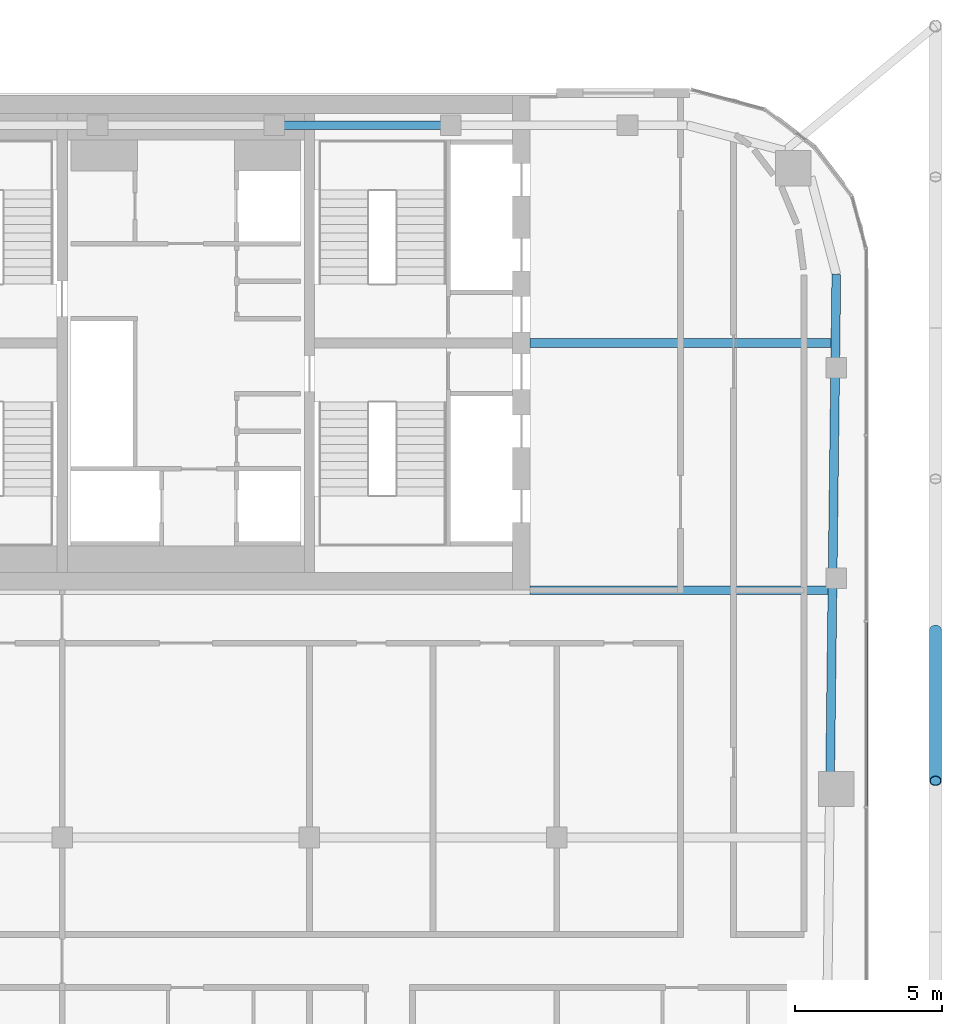
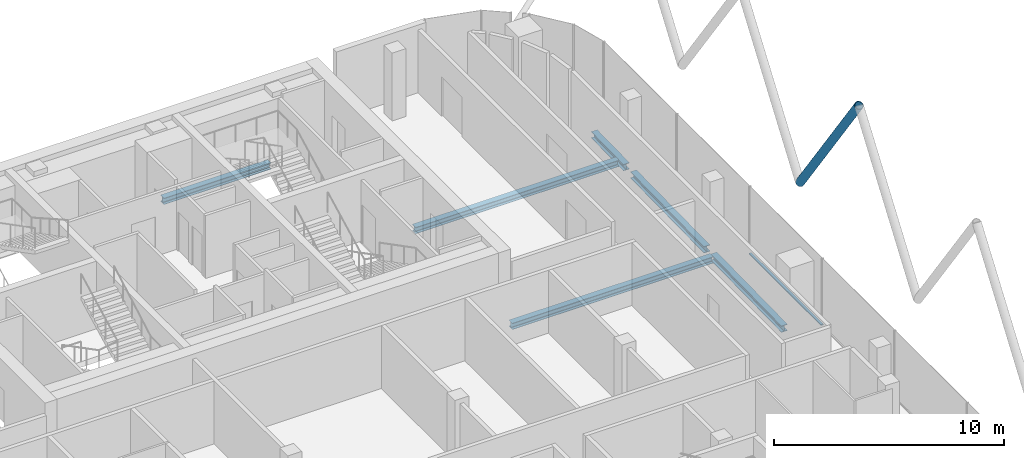
# One storey, part 11 of 27: 6 beams, 2 members, 1 element without a shape of its own.
"""IFC4 building model written with IfcOpenShell, lengths in metres."""

from ifc_helpers import new_model, si_unit, direction, frame, origin, origin_2d, place, context, subcontext, project, spatial, rectangle, hollow_circle, i_section, extrude, material, layer, layer_set, material_profile, profile_set, type_object, element, aggregate, save


model = new_model("IFC4")

# Units and contexts
model_context = context("Model", 3, precision=1e-05, world=origin(), true_north=direction((0.0, 1.0)))
body_context = subcontext(model_context, "Body", "Model", "MODEL_VIEW")
ifc_project = project(units=[si_unit("LENGTHUNIT", "METRE"), si_unit("AREAUNIT", "SQUARE_METRE"), si_unit("VOLUMEUNIT", "CUBIC_METRE"), si_unit("PLANEANGLEUNIT", "RADIAN"), si_unit("MASSUNIT", "GRAM", prefix="KILO")], contexts=[model_context])

# Site, building, storey
site_placement = place(None, origin())
site = spatial("IfcSite", under=ifc_project, at=site_placement, CompositionType="ELEMENT")
building_placement = place(site_placement, origin())
building = spatial("IfcBuilding", under=site, at=building_placement, Name="Marenta Gate Hotel Tower", CompositionType="ELEMENT")
storey_placement = place(building_placement, frame((0.0, 0.0, 270.5)))
storey = spatial("IfcBuildingStorey", under=building, at=storey_placement, Name="L62", CompositionType="ELEMENT", Elevation=270.5)

# Member
ifc_material_1 = material(Name="Steel S355J2W", Category="steel")
ifc_material_profile_1 = material_profile(ifc_material_1, hollow_circle(Radius=0.203125, WallThickness=0.02490234375, at=origin_2d()), Name="CHS 406.4x25")
ifc_profile_set_1 = profile_set([ifc_material_profile_1], Name="Steel S355J2W")
member_type_1 = type_object("IfcMemberType", Name="Diagrid diagonal Z4 CHS 406.4x25", PredefinedType="BRACE", material=ifc_profile_set_1)
member_1_placement = place(storey_placement, frame((25.469970703125, -1.347412109375, 3.139892578125), z_axis=(0.0, -0.580200600178, 0.81447361133), x_axis=(1.0, 0.0, 0.0)))
element("IfcMember", 1, at=member_1_placement, inside=storey, type_object=member_type_1, Name="L62-DG-5", PredefinedType="BRACE", context=body_context, shape_type="SweptSolid", body=[
    extrude(hollow_circle(Radius=0.203125, WallThickness=0.02490234375, at=origin_2d()), origin(), (0.0, 0.0, 1.0), 8.84033203125),
])

# Beams
ifc_material_2 = material(Name="Steel S355", Category="steel")
ifc_material_profile_2 = material_profile(ifc_material_2, i_section(OverallWidth=0.300048828125, OverallDepth=0.340087890625, WebThickness=0.011962890625, FlangeThickness=0.021484375, FilletRadius=0.027099609375, at=origin_2d()), Name="HEB 340")
ifc_profile_set_2 = profile_set([ifc_material_profile_2], Name="Steel S355")
beam_type_1 = type_object("IfcBeamType", Name="Edge beam HEB 340", PredefinedType="SPANDREL", material=ifc_profile_set_2)
beam_1_placement = place(storey_placement, frame((3.311279296875, 15.800048828125, -0.429931640625), z_axis=(1.0, 0.0, 0.0), x_axis=(0.0, 1.0, 0.0)))
element("IfcBeam", 2, at=beam_1_placement, inside=storey, type_object=beam_type_1, Name="L62-EB-17", PredefinedType="SPANDREL", context=body_context, shape_type="SweptSolid", body=[
    extrude(i_section(OverallWidth=0.300048828125, OverallDepth=0.340087890625, WebThickness=0.011962890625, FlangeThickness=0.021484375, FilletRadius=0.027099609375, at=origin_2d()), origin(), (0.0, 0.0, 1.0), 5.3828125),
])
beam_2_placement = place(storey_placement, frame((22.10009765625, 10.734375, -0.429931640625), z_axis=(-0.012342636833, -0.999923826757, 0.0), x_axis=(0.999923826757, -0.012342636833, 0.0)))
element("IfcBeam", 3, at=beam_2_placement, inside=storey, type_object=beam_type_1, Name="L62-EB-22", PredefinedType="SPANDREL", context=body_context, shape_type="SweptSolid", body=[
    extrude(i_section(OverallWidth=0.300048828125, OverallDepth=0.340087890625, WebThickness=0.011962890625, FlangeThickness=0.021484375, FilletRadius=0.027099609375, at=origin_2d()), origin(), (0.0, 0.0, 1.0), 2.8681640625),
])
beam_3_placement = place(storey_placement, frame((22.056884765625, 7.246337890625, -0.429931640625), z_axis=(-0.012330900994, -0.99992397155, 0.0), x_axis=(0.99992397155, -0.012330900994, 0.0)))
element("IfcBeam", 4, at=beam_3_placement, inside=storey, type_object=beam_type_1, Name="L62-EB-23", PredefinedType="SPANDREL", context=body_context, shape_type="SweptSolid", body=[
    extrude(i_section(OverallWidth=0.300048828125, OverallDepth=0.340087890625, WebThickness=0.011962890625, FlangeThickness=0.021484375, FilletRadius=0.027099609375, at=origin_2d()), origin(), (0.0, 0.0, 1.0), 6.53369140625),
])
beam_4_placement = place(storey_placement, frame((21.96875, 0.09326171875, -0.429931640625), z_axis=(-0.01235528937, -0.999923670499, 0.0), x_axis=(0.999923670499, -0.01235528937, 0.0)))
element("IfcBeam", 5, at=beam_4_placement, inside=storey, type_object=beam_type_1, Name="L62-EB-24", PredefinedType="SPANDREL", context=body_context, shape_type="SweptSolid", body=[
    extrude(i_section(OverallWidth=0.300048828125, OverallDepth=0.340087890625, WebThickness=0.011962890625, FlangeThickness=0.021484375, FilletRadius=0.027099609375, at=origin_2d()), origin(), (0.0, 0.0, 1.0), 6.28369140625),
])
ifc_material_3 = material(Name="Steel S355", Category="steel")
ifc_material_profile_3 = material_profile(ifc_material_3, i_section(OverallWidth=0.300048828125, OverallDepth=0.340087890625, WebThickness=0.011962890625, FlangeThickness=0.021484375, FilletRadius=0.027099609375, at=origin_2d()), Name="HEB 340")
ifc_profile_set_3 = profile_set([ifc_material_profile_3], Name="Steel S355")
beam_type_2 = type_object("IfcBeamType", Name="Girder HEB 340", PredefinedType="BEAM", material=ifc_profile_set_3)
beam_5_placement = place(storey_placement, frame((11.699951171875, 0.0, -0.429931640625), z_axis=(1.0, 0.0, 0.0), x_axis=(0.0, 1.0, 0.0)))
element("IfcBeam", 6, at=beam_5_placement, inside=storey, type_object=beam_type_2, Name="L62-GD-18", PredefinedType="BEAM", context=body_context, shape_type="SweptSolid", body=[
    extrude(i_section(OverallWidth=0.300048828125, OverallDepth=0.340087890625, WebThickness=0.011962890625, FlangeThickness=0.021484375, FilletRadius=0.027099609375, at=origin_2d()), origin(), (0.0, 0.0, 1.0), 10.117431640625),
])
beam_6_placement = place(storey_placement, frame((11.699951171875, 8.39990234375, -0.429931640625), z_axis=(1.0, 0.0, 0.0), x_axis=(0.0, 1.0, 0.0)))
element("IfcBeam", 7, at=beam_6_placement, inside=storey, type_object=beam_type_2, Name="L62-GD-20", PredefinedType="BEAM", context=body_context, shape_type="SweptSolid", body=[
    extrude(i_section(OverallWidth=0.300048828125, OverallDepth=0.340087890625, WebThickness=0.011962890625, FlangeThickness=0.021484375, FilletRadius=0.027099609375, at=origin_2d()), origin(), (0.0, 0.0, 1.0), 10.22119140625),
])

# Curtain wall, member
ifc_material_4 = material(Name="Tinted insulated glass in bronze anodised frame", Category="glass")
ifc_layer = layer(ifc_material_4, 0.1201171875)
ifc_layer_set = layer_set([ifc_layer], Name="Tinted insulated glass in bronze anodised frame")
curtain_wall_type = type_object("IfcCurtainWallType", Name="Tower unitised curtain wall CW1", PredefinedType="NOTDEFINED", material=ifc_layer_set)
curtain_wall_placement = place(storey_placement, origin())
curtain_wall = element("IfcCurtainWall", 8, at=curtain_wall_placement, inside=storey, type_object=curtain_wall_type, Name="CW1 run G17", PredefinedType="NOTDEFINED")
ifc_material_5 = material(Name="Bronze anodised aluminium", Category="aluminium")
ifc_material_profile_4 = material_profile(ifc_material_5, rectangle(XDim=0.1201171875, YDim=0.06005859375, at=origin_2d()), Name="Transom CW1 60x120 bronze anodised aluminium")
ifc_profile_set_4 = profile_set([ifc_material_profile_4], Name="Bronze anodised aluminium")
member_type_2 = type_object("IfcMemberType", Name="Transom CW1 60x120 bronze anodised aluminium", PredefinedType="USERDEFINED", material=ifc_profile_set_4)
member_2_placement = place(storey_placement, frame((23.114013671875, -7.345947265625, 0.030029296875), z_axis=(0.0, 1.0, 0.0), x_axis=(-1.0, 0.0, 0.0)))
member_2 = element("IfcMember", 9, at=member_2_placement, type_object=member_type_2, Name="CW1 transom 4.1", ObjectType="TRANSOM", PredefinedType="USERDEFINED", context=body_context, shape_type="SweptSolid", body=[
    extrude(rectangle(XDim=0.1201171875, YDim=0.06005859375, at=origin_2d()), origin(), (0.0, 0.0, 1.0), 6.2626953125),
])
aggregate(curtain_wall, [member_2])

save(model, "model.ifc")
